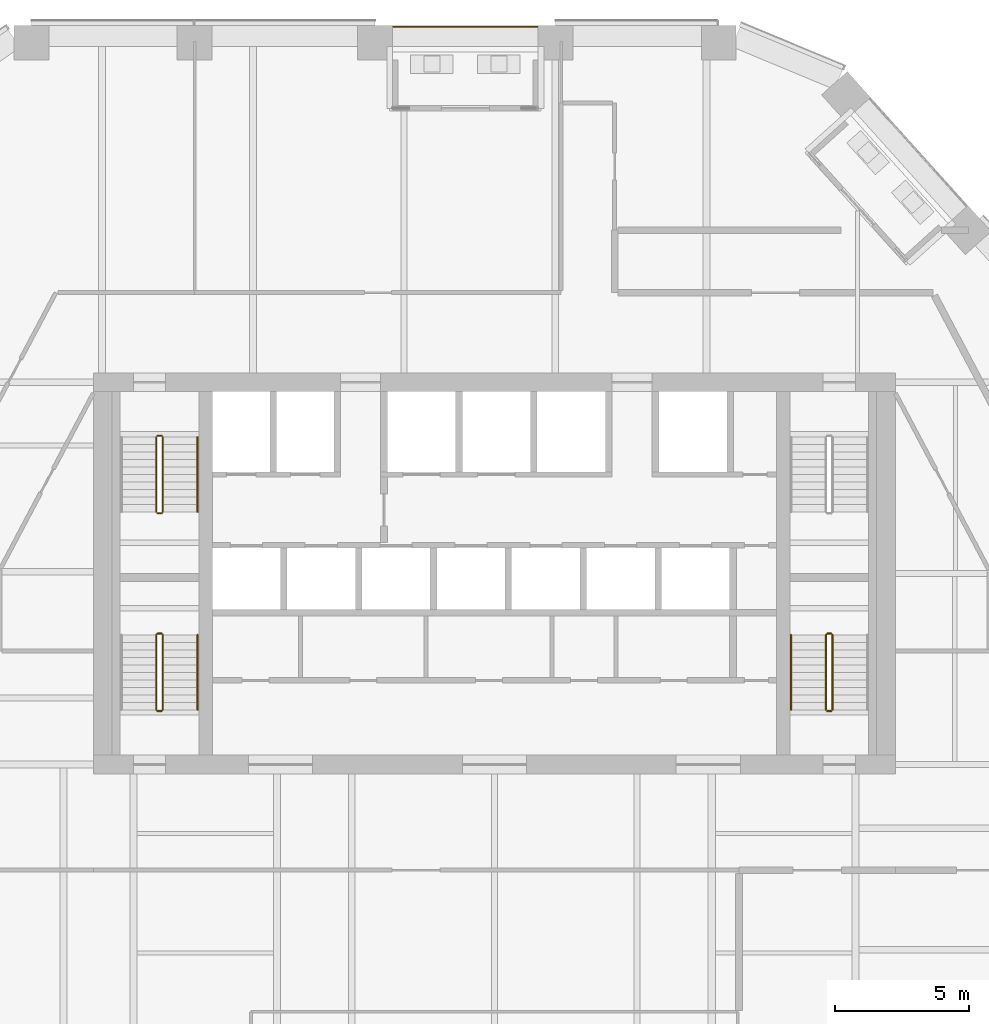
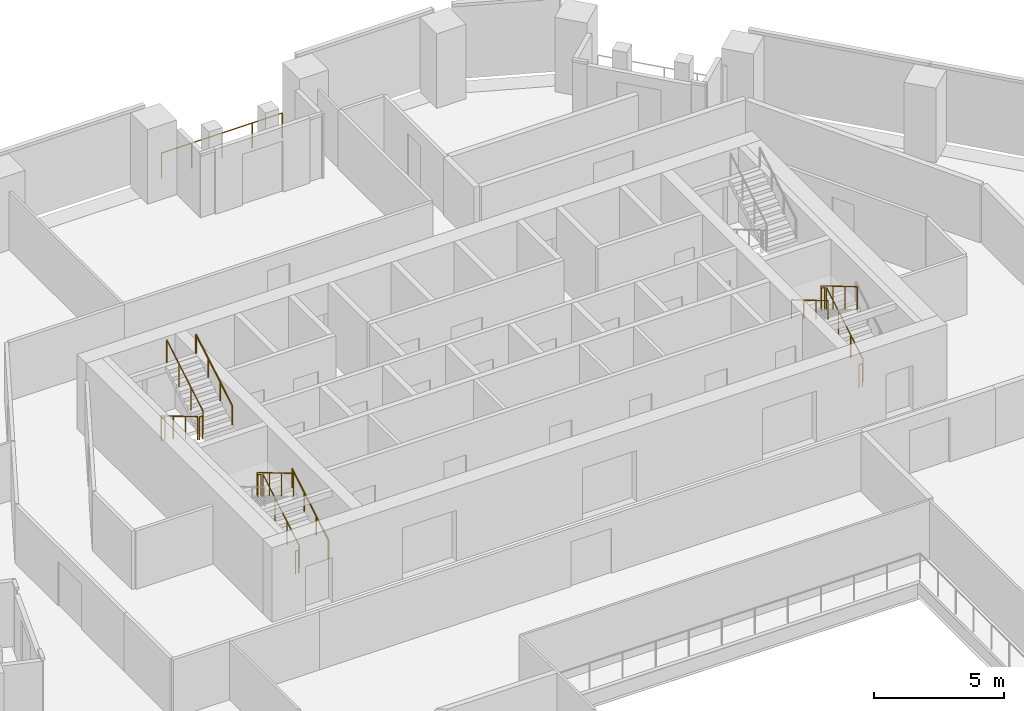
# One storey, part 23 of 25: 16 railings.
"""IFC4 building model written with IfcOpenShell, lengths in metres."""

from ifc_helpers import new_model, si_unit, direction, frame, origin, origin_2d, place, context, subcontext, project, spatial, circle, extrude, material, type_object, element, save


model = new_model("IFC4")

# Units and contexts
model_context = context("Model", 3, precision=1e-05, world=origin(), true_north=direction((0.0, 1.0)))
body_context = subcontext(model_context, "Body", "Model", "MODEL_VIEW")
ifc_project = project(units=[si_unit("LENGTHUNIT", "METRE"), si_unit("AREAUNIT", "SQUARE_METRE"), si_unit("VOLUMEUNIT", "CUBIC_METRE"), si_unit("PLANEANGLEUNIT", "RADIAN"), si_unit("MASSUNIT", "GRAM", prefix="KILO")], contexts=[model_context])

# Site, building, storey
site_placement = place(None, origin())
site = spatial("IfcSite", under=ifc_project, at=site_placement, CompositionType="ELEMENT")
building_placement = place(site_placement, origin())
building = spatial("IfcBuilding", under=site, at=building_placement, Name="Isthmus Gate Tower", CompositionType="ELEMENT")
storey_placement = place(building_placement, frame((0.0, 0.0, 174.449951171875)))
storey = spatial("IfcBuildingStorey", under=building, at=storey_placement, Name="L43", CompositionType="ELEMENT", Elevation=174.449951171875)

# Railings
ifc_material_1 = material(Name="Toughened laminated glass with stainless steel posts", Category="steel")
railing_type_1 = type_object("IfcRailingType", Name="GUARD 1200 FRAMELESS GLASS", PredefinedType="GUARDRAIL", material=ifc_material_1)
railing_1_placement = place(storey_placement, frame((1.598388671875, 27.949951171875, 0.0)))
element("IfcRailing", 1, at=railing_1_placement, inside=storey, type_object=railing_type_1, Name="LOGGIA GUARD", PredefinedType="GUARDRAIL", context=body_context, shape_type="SweptSolid", body=[
    extrude(circle(Radius=0.02490234375, at=origin_2d()), frame((0.0, 0.0, 1.1748046875), z_axis=(-1.0, 0.0, 0.0), x_axis=(0.0, -1.0, 0.0)), (0.0, 0.0, 1.0), 5.3701171875),
    extrude(circle(Radius=0.02490234375, at=origin_2d()), origin(), (0.0, 0.0, 1.0), 1.14990234375),
    extrude(circle(Radius=0.02490234375, at=origin_2d()), frame((-1.342529296875, 0.0, 0.0)), (0.0, 0.0, 1.0), 1.14990234375),
    extrude(circle(Radius=0.02490234375, at=origin_2d()), frame((-2.68505859375, 0.0, 0.0)), (0.0, 0.0, 1.0), 1.14990234375),
    extrude(circle(Radius=0.02490234375, at=origin_2d()), frame((-4.027587890625, 0.0, 0.0)), (0.0, 0.0, 1.0), 1.14990234375),
    extrude(circle(Radius=0.02490234375, at=origin_2d()), frame((-5.3701171875, 0.0, 0.0)), (0.0, 0.0, 1.0), 1.14990234375),
])
ifc_material_2 = material(Name="Stainless steel balustrade", Category="steel")
railing_type_2 = type_object("IfcRailingType", Name="STAIR GUARD 1100", PredefinedType="GUARDRAIL", material=ifc_material_2)
railing_2_placement = place(storey_placement, frame((-12.64990234375, 12.60009765625, 0.166015625)))
element("IfcRailing", 2, at=railing_2_placement, inside=storey, type_object=railing_type_2, Name="L43 ST1 stair guard 1", PredefinedType="GUARDRAIL", context=body_context, shape_type="SweptSolid", body=[
    extrude(circle(Radius=0.02392578125, at=origin_2d()), frame((0.0, 0.0, 1.076171875), z_axis=(0.0, -0.860339051648, 0.50972219513), x_axis=(1.0, 0.0, 0.0)), (0.0, 0.0, 1.0), 3.254638671875),
    extrude(circle(Radius=0.02099609375, at=origin_2d()), origin(), (0.0, 0.0, 1.0), 1.052001953125),
    extrude(circle(Radius=0.02099609375, at=origin_2d()), frame((0.0, -0.933349609375, 0.552978515625)), (0.0, 0.0, 1.0), 1.052001953125),
    extrude(circle(Radius=0.02099609375, at=origin_2d()), frame((0.0, -1.86669921875, 1.10595703125)), (0.0, 0.0, 1.0), 1.052001953125),
    extrude(circle(Radius=0.02099609375, at=origin_2d()), frame((0.0, -2.800048828125, 1.658935546875)), (0.0, 0.0, 1.0), 1.052001953125),
])
railing_3_placement = place(storey_placement, frame((-12.60009765625, 9.75, 1.824951171875)))
element("IfcRailing", 3, at=railing_3_placement, inside=storey, type_object=railing_type_2, Name="L43 ST1 stair guard 2", PredefinedType="GUARDRAIL", context=body_context, shape_type="SweptSolid", body=[
    extrude(circle(Radius=0.02392578125, at=origin_2d()), frame((0.0, 0.0, 1.076171875), z_axis=(1.0, 0.0, 0.0), x_axis=(0.0, 1.0, 0.0)), (0.0, 0.0, 1.0), 0.150146484375),
    extrude(circle(Radius=0.02099609375, at=origin_2d()), origin(), (0.0, 0.0, 1.0), 1.052001953125),
    extrude(circle(Radius=0.02099609375, at=origin_2d()), frame((0.150146484375, 0.0, 0.0)), (0.0, 0.0, 1.0), 1.052001953125),
])
railing_4_placement = place(storey_placement, frame((-12.39990234375, 9.800048828125, 1.990966796875)))
element("IfcRailing", 4, at=railing_4_placement, inside=storey, type_object=railing_type_2, Name="L43 ST1 stair guard 3", PredefinedType="GUARDRAIL", context=body_context, shape_type="SweptSolid", body=[
    extrude(circle(Radius=0.02392578125, at=origin_2d()), frame((0.0, 0.0, 1.076171875), z_axis=(0.0, 0.860306154799, 0.50977771628), x_axis=(-1.0, 0.0, 0.0)), (0.0, 0.0, 1.0), 3.254638671875),
    extrude(circle(Radius=0.02099609375, at=origin_2d()), origin(), (0.0, 0.0, 1.0), 1.052001953125),
    extrude(circle(Radius=0.02099609375, at=origin_2d()), frame((0.0, 0.933349609375, 0.552978515625)), (0.0, 0.0, 1.0), 1.052001953125),
    extrude(circle(Radius=0.02099609375, at=origin_2d()), frame((0.0, 1.86669921875, 1.106201171875)), (0.0, 0.0, 1.0), 1.052001953125),
    extrude(circle(Radius=0.02099609375, at=origin_2d()), frame((0.0, 2.800048828125, 1.6591796875)), (0.0, 0.0, 1.0), 1.052001953125),
])
railing_5_placement = place(storey_placement, frame((-12.60009765625, 12.64990234375, 0.0)))
element("IfcRailing", 5, at=railing_5_placement, inside=storey, type_object=railing_type_2, Name="L43 ST1 stair guard 4", PredefinedType="GUARDRAIL", context=body_context, shape_type="SweptSolid", body=[
    extrude(circle(Radius=0.02392578125, at=origin_2d()), frame((0.0, 0.0, 1.076171875), z_axis=(1.0, 0.0, 0.0), x_axis=(0.0, 1.0, 0.0)), (0.0, 0.0, 1.0), 0.150146484375),
    extrude(circle(Radius=0.02099609375, at=origin_2d()), origin(), (0.0, 0.0, 1.0), 1.052001953125),
    extrude(circle(Radius=0.02099609375, at=origin_2d()), frame((0.150146484375, 0.0, 0.0)), (0.0, 0.0, 1.0), 1.052001953125),
])
railing_6_placement = place(storey_placement, frame((-12.39990234375, 2.39990234375, 0.166015625)))
element("IfcRailing", 6, at=railing_6_placement, inside=storey, type_object=railing_type_2, Name="L43 ST7 stair guard 1", PredefinedType="GUARDRAIL", context=body_context, shape_type="SweptSolid", body=[
    extrude(circle(Radius=0.02392578125, at=origin_2d()), frame((0.0, 0.0, 1.076171875), z_axis=(0.0, 0.860339051648, 0.50972219513), x_axis=(-1.0, 0.0, 0.0)), (0.0, 0.0, 1.0), 3.254638671875),
    extrude(circle(Radius=0.02099609375, at=origin_2d()), origin(), (0.0, 0.0, 1.0), 1.052001953125),
    extrude(circle(Radius=0.02099609375, at=origin_2d()), frame((0.0, 0.933349609375, 0.552978515625)), (0.0, 0.0, 1.0), 1.052001953125),
    extrude(circle(Radius=0.02099609375, at=origin_2d()), frame((0.0, 1.86669921875, 1.10595703125)), (0.0, 0.0, 1.0), 1.052001953125),
    extrude(circle(Radius=0.02099609375, at=origin_2d()), frame((0.0, 2.800048828125, 1.658935546875)), (0.0, 0.0, 1.0), 1.052001953125),
])
railing_7_placement = place(storey_placement, frame((-12.449951171875, 5.25, 1.824951171875)))
element("IfcRailing", 7, at=railing_7_placement, inside=storey, type_object=railing_type_2, Name="L43 ST7 stair guard 2", PredefinedType="GUARDRAIL", context=body_context, shape_type="SweptSolid", body=[
    extrude(circle(Radius=0.02392578125, at=origin_2d()), frame((0.0, 0.0, 1.076171875), z_axis=(-1.0, 0.0, 0.0), x_axis=(0.0, -1.0, 0.0)), (0.0, 0.0, 1.0), 0.150146484375),
    extrude(circle(Radius=0.02099609375, at=origin_2d()), origin(), (0.0, 0.0, 1.0), 1.052001953125),
    extrude(circle(Radius=0.02099609375, at=origin_2d()), frame((-0.150146484375, 0.0, 0.0)), (0.0, 0.0, 1.0), 1.052001953125),
])
railing_8_placement = place(storey_placement, frame((-12.64990234375, 5.199951171875, 1.990966796875)))
element("IfcRailing", 8, at=railing_8_placement, inside=storey, type_object=railing_type_2, Name="L43 ST7 stair guard 3", PredefinedType="GUARDRAIL", context=body_context, shape_type="SweptSolid", body=[
    extrude(circle(Radius=0.02392578125, at=origin_2d()), frame((0.0, 0.0, 1.076171875), z_axis=(0.0, -0.860306154799, 0.50977771628), x_axis=(1.0, 0.0, 0.0)), (0.0, 0.0, 1.0), 3.254638671875),
    extrude(circle(Radius=0.02099609375, at=origin_2d()), origin(), (0.0, 0.0, 1.0), 1.052001953125),
    extrude(circle(Radius=0.02099609375, at=origin_2d()), frame((0.0, -0.933349609375, 0.552978515625)), (0.0, 0.0, 1.0), 1.052001953125),
    extrude(circle(Radius=0.02099609375, at=origin_2d()), frame((0.0, -1.86669921875, 1.106201171875)), (0.0, 0.0, 1.0), 1.052001953125),
    extrude(circle(Radius=0.02099609375, at=origin_2d()), frame((0.0, -2.800048828125, 1.6591796875)), (0.0, 0.0, 1.0), 1.052001953125),
])
railing_9_placement = place(storey_placement, frame((-12.449951171875, 2.35009765625, 0.0)))
element("IfcRailing", 9, at=railing_9_placement, inside=storey, type_object=railing_type_2, Name="L43 ST7 stair guard 4", PredefinedType="GUARDRAIL", context=body_context, shape_type="SweptSolid", body=[
    extrude(circle(Radius=0.02392578125, at=origin_2d()), frame((0.0, 0.0, 1.076171875), z_axis=(-1.0, 0.0, 0.0), x_axis=(0.0, -1.0, 0.0)), (0.0, 0.0, 1.0), 0.150146484375),
    extrude(circle(Radius=0.02099609375, at=origin_2d()), origin(), (0.0, 0.0, 1.0), 1.052001953125),
    extrude(circle(Radius=0.02099609375, at=origin_2d()), frame((-0.150146484375, 0.0, 0.0)), (0.0, 0.0, 1.0), 1.052001953125),
])
railing_10_placement = place(storey_placement, frame((12.64990234375, 2.39990234375, 0.166015625)))
element("IfcRailing", 10, at=railing_10_placement, inside=storey, type_object=railing_type_2, Name="L43 ST8 stair guard 1", PredefinedType="GUARDRAIL", context=body_context, shape_type="SweptSolid", body=[
    extrude(circle(Radius=0.02392578125, at=origin_2d()), frame((0.0, 0.0, 1.076171875), z_axis=(0.0, 0.860339051648, 0.50972219513), x_axis=(-1.0, 0.0, 0.0)), (0.0, 0.0, 1.0), 3.254638671875),
    extrude(circle(Radius=0.02099609375, at=origin_2d()), origin(), (0.0, 0.0, 1.0), 1.052001953125),
    extrude(circle(Radius=0.02099609375, at=origin_2d()), frame((0.0, 0.933349609375, 0.552978515625)), (0.0, 0.0, 1.0), 1.052001953125),
    extrude(circle(Radius=0.02099609375, at=origin_2d()), frame((0.0, 1.86669921875, 1.10595703125)), (0.0, 0.0, 1.0), 1.052001953125),
    extrude(circle(Radius=0.02099609375, at=origin_2d()), frame((0.0, 2.800048828125, 1.658935546875)), (0.0, 0.0, 1.0), 1.052001953125),
])
railing_11_placement = place(storey_placement, frame((12.60009765625, 5.25, 1.824951171875)))
element("IfcRailing", 11, at=railing_11_placement, inside=storey, type_object=railing_type_2, Name="L43 ST8 stair guard 2", PredefinedType="GUARDRAIL", context=body_context, shape_type="SweptSolid", body=[
    extrude(circle(Radius=0.02392578125, at=origin_2d()), frame((0.0, 0.0, 1.076171875), z_axis=(-1.0, 0.0, 0.0), x_axis=(0.0, -1.0, 0.0)), (0.0, 0.0, 1.0), 0.150146484375),
    extrude(circle(Radius=0.02099609375, at=origin_2d()), origin(), (0.0, 0.0, 1.0), 1.052001953125),
    extrude(circle(Radius=0.02099609375, at=origin_2d()), frame((-0.150146484375, 0.0, 0.0)), (0.0, 0.0, 1.0), 1.052001953125),
])
railing_12_placement = place(storey_placement, frame((12.39990234375, 5.199951171875, 1.990966796875)))
element("IfcRailing", 12, at=railing_12_placement, inside=storey, type_object=railing_type_2, Name="L43 ST8 stair guard 3", PredefinedType="GUARDRAIL", context=body_context, shape_type="SweptSolid", body=[
    extrude(circle(Radius=0.02392578125, at=origin_2d()), frame((0.0, 0.0, 1.076171875), z_axis=(0.0, -0.860306154799, 0.50977771628), x_axis=(1.0, 0.0, 0.0)), (0.0, 0.0, 1.0), 3.254638671875),
    extrude(circle(Radius=0.02099609375, at=origin_2d()), origin(), (0.0, 0.0, 1.0), 1.052001953125),
    extrude(circle(Radius=0.02099609375, at=origin_2d()), frame((0.0, -0.933349609375, 0.552978515625)), (0.0, 0.0, 1.0), 1.052001953125),
    extrude(circle(Radius=0.02099609375, at=origin_2d()), frame((0.0, -1.86669921875, 1.106201171875)), (0.0, 0.0, 1.0), 1.052001953125),
    extrude(circle(Radius=0.02099609375, at=origin_2d()), frame((0.0, -2.800048828125, 1.6591796875)), (0.0, 0.0, 1.0), 1.052001953125),
])
railing_13_placement = place(storey_placement, frame((12.60009765625, 2.35009765625, 0.0)))
element("IfcRailing", 13, at=railing_13_placement, inside=storey, type_object=railing_type_2, Name="L43 ST8 stair guard 4", PredefinedType="GUARDRAIL", context=body_context, shape_type="SweptSolid", body=[
    extrude(circle(Radius=0.02392578125, at=origin_2d()), frame((0.0, 0.0, 1.076171875), z_axis=(-1.0, 0.0, 0.0), x_axis=(0.0, -1.0, 0.0)), (0.0, 0.0, 1.0), 0.150146484375),
    extrude(circle(Radius=0.02099609375, at=origin_2d()), origin(), (0.0, 0.0, 1.0), 1.052001953125),
    extrude(circle(Radius=0.02099609375, at=origin_2d()), frame((-0.150146484375, 0.0, 0.0)), (0.0, 0.0, 1.0), 1.052001953125),
])
ifc_material_3 = material(Name="Stainless steel handrail", Category="steel")
railing_type_3 = type_object("IfcRailingType", Name="STAIR HANDRAIL 900", PredefinedType="HANDRAIL", material=ifc_material_3)
railing_14_placement = place(storey_placement, frame((-11.10009765625, 9.800048828125, 1.990966796875)))
element("IfcRailing", 14, at=railing_14_placement, inside=storey, type_object=railing_type_3, Name="L43 ST1 stair handrail 2", PredefinedType="HANDRAIL", context=body_context, shape_type="SweptSolid", body=[
    extrude(circle(Radius=0.02392578125, at=origin_2d()), frame((0.0, 0.0, 0.8759765625), z_axis=(0.0, 0.860306154799, 0.50977771628), x_axis=(-1.0, 0.0, 0.0)), (0.0, 0.0, 1.0), 3.254638671875),
    extrude(circle(Radius=0.02099609375, at=origin_2d()), origin(), (0.0, 0.0, 1.0), 0.851806640625),
    extrude(circle(Radius=0.02099609375, at=origin_2d()), frame((0.0, 0.933349609375, 0.552978515625)), (0.0, 0.0, 1.0), 0.851806640625),
    extrude(circle(Radius=0.02099609375, at=origin_2d()), frame((0.0, 1.86669921875, 1.106201171875)), (0.0, 0.0, 1.0), 0.851806640625),
    extrude(circle(Radius=0.02099609375, at=origin_2d()), frame((0.0, 2.800048828125, 1.6591796875)), (0.0, 0.0, 1.0), 0.851806640625),
])
railing_15_placement = place(storey_placement, frame((-11.10009765625, 2.39990234375, 0.166015625)))
element("IfcRailing", 15, at=railing_15_placement, inside=storey, type_object=railing_type_3, Name="L43 ST7 stair handrail 1", PredefinedType="HANDRAIL", context=body_context, shape_type="SweptSolid", body=[
    extrude(circle(Radius=0.02392578125, at=origin_2d()), frame((0.0, 0.0, 0.8759765625), z_axis=(0.0, 0.860339051648, 0.50972219513), x_axis=(-1.0, 0.0, 0.0)), (0.0, 0.0, 1.0), 3.254638671875),
    extrude(circle(Radius=0.02099609375, at=origin_2d()), origin(), (0.0, 0.0, 1.0), 0.851806640625),
    extrude(circle(Radius=0.02099609375, at=origin_2d()), frame((0.0, 0.933349609375, 0.552978515625)), (0.0, 0.0, 1.0), 0.851806640625),
    extrude(circle(Radius=0.02099609375, at=origin_2d()), frame((0.0, 1.86669921875, 1.10595703125)), (0.0, 0.0, 1.0), 0.851806640625),
    extrude(circle(Radius=0.02099609375, at=origin_2d()), frame((0.0, 2.800048828125, 1.658935546875)), (0.0, 0.0, 1.0), 0.851806640625),
])
railing_16_placement = place(storey_placement, frame((11.10009765625, 5.199951171875, 1.990966796875)))
element("IfcRailing", 16, at=railing_16_placement, inside=storey, type_object=railing_type_3, Name="L43 ST8 stair handrail 2", PredefinedType="HANDRAIL", context=body_context, shape_type="SweptSolid", body=[
    extrude(circle(Radius=0.02392578125, at=origin_2d()), frame((0.0, 0.0, 0.8759765625), z_axis=(0.0, -0.860306154799, 0.50977771628), x_axis=(1.0, 0.0, 0.0)), (0.0, 0.0, 1.0), 3.254638671875),
    extrude(circle(Radius=0.02099609375, at=origin_2d()), origin(), (0.0, 0.0, 1.0), 0.851806640625),
    extrude(circle(Radius=0.02099609375, at=origin_2d()), frame((0.0, -0.933349609375, 0.552978515625)), (0.0, 0.0, 1.0), 0.851806640625),
    extrude(circle(Radius=0.02099609375, at=origin_2d()), frame((0.0, -1.86669921875, 1.106201171875)), (0.0, 0.0, 1.0), 0.851806640625),
    extrude(circle(Radius=0.02099609375, at=origin_2d()), frame((0.0, -2.800048828125, 1.6591796875)), (0.0, 0.0, 1.0), 0.851806640625),
])

save(model, "model.ifc")
